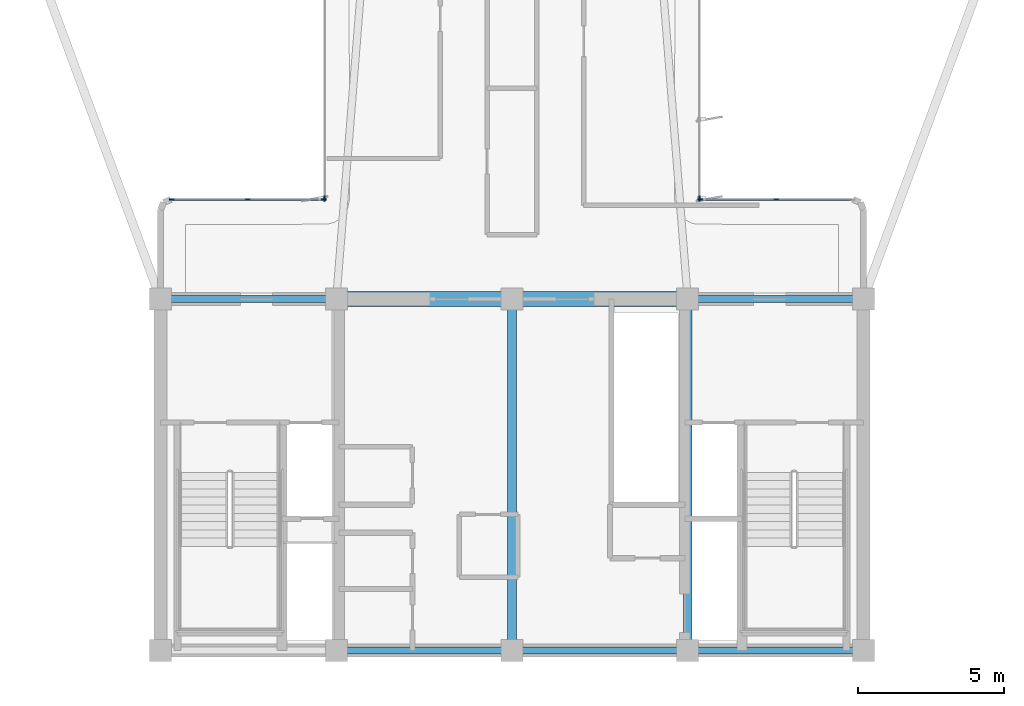
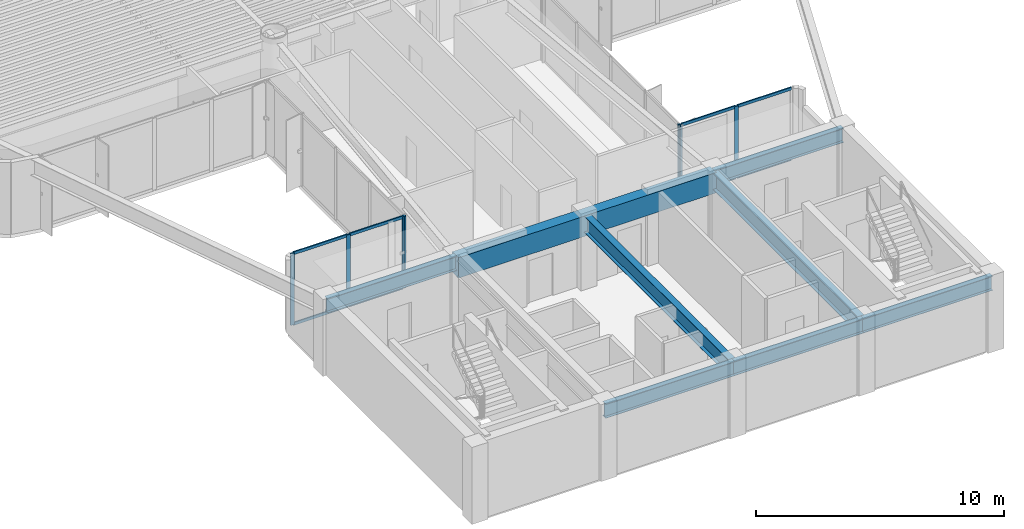
# One storey, part 2 of 15: 15 members, 8 beams, 4 elements without a shape of their own.
"""IFC4 building model written with IfcOpenShell, lengths in metres."""

import ifcopenshell
import ifcopenshell.guid

model = None  # the IFC model being written
_history = None  # IfcOwnerHistory: only IFC2X3 demands one
_inside = {}  # id of a spatial element -> (the spatial element, [elements in it])
_under = {}  # id of a project, library or spatial element -> (it, [spatial elements below it])
_declared = {}  # id of a project -> (the project, [libraries it declares])
_typed = {}  # id of a type object -> (the type object, [elements of that type])
_made_of = {}  # id of a material, layer set ... -> (it, [elements and type objects made of it])


def new_model(schema):
    """Start an empty IFC model of exactly this schema.

    Asked for "IFC4X3", IfcOpenShell would pick the latest addendum, in which some entities
    have other attributes; the version numbers below select the first issue.
    IFC2X3 requires an IfcOwnerHistory on every rooted entity: one is made here for all.
    """
    global model, _history
    if schema == "IFC4X3":
        model = ifcopenshell.file(schema_version=(4, 3, 0, 0))
    else:
        model = ifcopenshell.file(schema=schema)
    _inside.clear()
    _under.clear()
    _declared.clear()
    _typed.clear()
    _made_of.clear()
    _history = None
    if model.schema == "IFC2X3":
        org = make("IfcOrganization", Name="unknown")
        user = make(
            "IfcPersonAndOrganization",
            ThePerson=make("IfcPerson", FamilyName="unknown"),
            TheOrganization=org,
        )
        app = make(
            "IfcApplication",
            ApplicationDeveloper=org,
            Version="unknown",
            ApplicationFullName="unknown",
            ApplicationIdentifier="unknown",
        )
        _history = make(
            "IfcOwnerHistory",
            OwningUser=user,
            OwningApplication=app,
            ChangeAction="ADDED",
            CreationDate=0,
        )
    return model


def make(cls, **values):
    """One entity of the class cls with the attributes given. An attribute that is None is left unset."""
    return model.create_entity(
        cls, **{name: value for name, value in values.items() if value is not None}
    )


def rooted(cls, **values):
    """An entity with a GlobalId (a new one), such as an element, a storey or a relation."""
    return make(cls, GlobalId=ifcopenshell.guid.new(), OwnerHistory=_history, **values)


def si_unit(unit_type, name, prefix=None):
    """IfcSIUnit, for example si_unit("LENGTHUNIT", "METRE", prefix="MILLI")."""
    return make("IfcSIUnit", UnitType=unit_type, Prefix=prefix, Name=name)


def assignment(units):
    """IfcUnitAssignment: the units of a project."""
    return None if units is None else make("IfcUnitAssignment", Units=units)


def point(xyz):
    """IfcCartesianPoint."""
    return None if xyz is None else make("IfcCartesianPoint", Coordinates=xyz)


def direction(xyz):
    """IfcDirection."""
    return None if xyz is None else make("IfcDirection", DirectionRatios=xyz)


def frame(location, z_axis=None, x_axis=None):
    """IfcAxis2Placement3D, a coordinate frame: its origin and axes. An axis left out is left unset."""
    return make(
        "IfcAxis2Placement3D",
        Location=point(location),
        Axis=direction(z_axis),
        RefDirection=direction(x_axis),
    )


def frame_2d(location, x_axis=None):
    """IfcAxis2Placement2D, a coordinate frame in the plane: its origin and x axis."""
    return make(
        "IfcAxis2Placement2D", Location=point(location), RefDirection=direction(x_axis)
    )


def origin():
    """The frame at (0, 0, 0) with its axes left unset."""
    return frame((0.0, 0.0, 0.0))


def origin_2d():
    """The frame at (0, 0) in the plane with its x axis left unset."""
    return frame_2d((0.0, 0.0))


def place(relative_to, where):
    """IfcLocalPlacement: puts the frame where relative to a parent placement (None: the world)."""
    return make(
        "IfcLocalPlacement", PlacementRelTo=relative_to, RelativePlacement=where
    )


def context(
    kind, dimensions, precision=None, world=None, true_north=None, identifier=None
):
    """IfcGeometricRepresentationContext, for example the 3D "Model" context."""
    return make(
        "IfcGeometricRepresentationContext",
        ContextIdentifier=identifier,
        ContextType=kind,
        CoordinateSpaceDimension=dimensions,
        Precision=precision,
        WorldCoordinateSystem=world,
        TrueNorth=true_north,
    )


def subcontext(parent, identifier, kind, view, scale=None):
    """IfcGeometricRepresentationSubContext, for example "Body" below "Model"."""
    return make(
        "IfcGeometricRepresentationSubContext",
        ContextIdentifier=identifier,
        ContextType=kind,
        ParentContext=parent,
        TargetScale=scale,
        TargetView=view,
    )


def project(units=None, contexts=None):
    """IfcProject with its units and contexts."""
    return rooted(
        "IfcProject",
        Name="project",
        RepresentationContexts=contexts,
        UnitsInContext=assignment(units),
    )


def spatial(cls, under=None, at=None, **own):
    """A site, building, storey or space (cls), placed at a placement, below another one or the project."""
    s = rooted(cls, ObjectPlacement=at, **own)
    if under is not None:
        _under.setdefault(under.id(), (under, []))[1].append(s)
    return s


def profile(cls, at=None, kind="AREA", **sizes):
    """A parametric profile (cls). Its sizes go by their IFC names, for example OverallWidth=200.0."""
    return make(cls, ProfileType=kind, Position=at, **sizes)


def rectangle(**sizes):
    """IfcRectangleProfileDef."""
    return profile("IfcRectangleProfileDef", **sizes)


def i_section(**sizes):
    """IfcIShapeProfileDef."""
    return profile("IfcIShapeProfileDef", **sizes)


def extrude(swept, where, along, depth):
    """IfcExtrudedAreaSolid: the profile swept, set in the frame where, extruded along a direction by depth."""
    return make(
        "IfcExtrudedAreaSolid",
        SweptArea=swept,
        Position=where,
        ExtrudedDirection=direction(along),
        Depth=depth,
    )


def shape(context_of_items, identifier, shape_type, items):
    """IfcShapeRepresentation: the items that make up one representation, for example the "Body"."""
    return make(
        "IfcShapeRepresentation",
        ContextOfItems=context_of_items,
        RepresentationIdentifier=identifier,
        RepresentationType=shape_type,
        Items=items,
    )


def source(mapping_origin, context_of_items, identifier, shape_type, items):
    """IfcRepresentationMap: a shape defined once, which mapped items show again and again."""
    return make(
        "IfcRepresentationMap",
        MappingOrigin=mapping_origin,
        MappedRepresentation=shape(context_of_items, identifier, shape_type, items),
    )


def transform(
    local_origin,
    x_axis=None,
    y_axis=None,
    z_axis=None,
    scale=None,
    scale2=None,
    scale3=None,
    uniform=True,
):
    """IfcCartesianTransformationOperator3D, or its non-uniform kind. x_axis, y_axis, z_axis: its Axis1, 2, 3."""
    if uniform:
        return make(
            "IfcCartesianTransformationOperator3D",
            Axis1=direction(x_axis),
            Axis2=direction(y_axis),
            LocalOrigin=point(local_origin),
            Scale=scale,
            Axis3=direction(z_axis),
        )
    return make(
        "IfcCartesianTransformationOperator3DnonUniform",
        Axis1=direction(x_axis),
        Axis2=direction(y_axis),
        LocalOrigin=point(local_origin),
        Scale=scale,
        Axis3=direction(z_axis),
        Scale2=scale2,
        Scale3=scale3,
    )


def mapped(mapping_source, mapping_target):
    """IfcMappedItem: shows the shape of a source again, moved by a transform."""
    return make(
        "IfcMappedItem", MappingSource=mapping_source, MappingTarget=mapping_target
    )


def material(Name=None, Category=None):
    """IfcMaterial."""
    return make("IfcMaterial", Name=Name, Category=Category)


def layer(
    of_material, thickness, ventilated=None, Name=None, Category=None, Priority=None
):
    """IfcMaterialLayer: one layer of a wall or slab, of a material (None: an air gap)."""
    return make(
        "IfcMaterialLayer",
        Material=of_material,
        LayerThickness=thickness,
        IsVentilated=ventilated,
        Name=Name,
        Category=Category,
        Priority=Priority,
    )


def layer_set(layers, Name=None):
    """IfcMaterialLayerSet."""
    return make("IfcMaterialLayerSet", MaterialLayers=layers, LayerSetName=Name)


def material_profile(
    of_material, cross_section, Name=None, Category=None, Priority=None
):
    """IfcMaterialProfile: a cross section and its material."""
    return make(
        "IfcMaterialProfile",
        Name=Name,
        Material=of_material,
        Profile=cross_section,
        Priority=Priority,
        Category=Category,
    )


def profile_set(profiles, Name=None, composite=None):
    """IfcMaterialProfileSet."""
    return make(
        "IfcMaterialProfileSet",
        Name=Name,
        MaterialProfiles=profiles,
        CompositeProfile=composite,
    )


def made_of(thing, what):
    """Note that an element or type object is made of a material, layer set ...; save() writes the relation."""
    if what is not None:
        _made_of.setdefault(what.id(), (what, []))[1].append(thing)
    return thing


def type_object(cls, material=None, **own):
    """A type object (cls), such as IfcWallType, which elements share."""
    return made_of(rooted(cls, **own), material)


def element(
    cls,
    number,
    at=None,
    inside=None,
    cuts=None,
    type_object=None,
    material=None,
    context=None,
    identifier="Body",
    shape_type=None,
    held_by="IfcProductDefinitionShape",
    body=None,
    shapes=None,
    **own,
):
    """One element of the class cls, such as IfcWall. Its Tag is "e" and its number.

    at: its placement. inside: the storey or other place that contains it. cuts: it is an
    opening in that element (IfcRelVoidsElement). A single representation is given by context,
    identifier, shape_type and body (its items); several are given by shapes. held_by: the class
    of the entity that holds the representations. save() writes the other relations.
    """
    e = rooted(cls, Tag="e%d" % number, ObjectPlacement=at, **own)
    if body is not None:
        shapes = [shape(context, identifier, shape_type, body)]
    if shapes is not None:
        e.Representation = make(held_by, Representations=shapes)
    if inside is not None:
        _inside.setdefault(inside.id(), (inside, []))[1].append(e)
    if cuts is not None:
        rooted(
            "IfcRelVoidsElement", RelatingBuildingElement=cuts, RelatedOpeningElement=e
        )
    if type_object is not None:
        _typed.setdefault(type_object.id(), (type_object, []))[1].append(e)
    return made_of(e, material)


def aggregate(whole, parts):
    """IfcRelAggregates: a whole, such as a stair, and the parts it consists of."""
    return rooted("IfcRelAggregates", RelatingObject=whole, RelatedObjects=parts)


def save(model, path):
    """Write the relations noted so far, then the file.

    IfcRelAggregates (storeys below a building ...), IfcRelContainedInSpatialStructure (elements
    in a storey), IfcRelDefinesByType, IfcRelAssociatesMaterial and IfcRelDeclares: one each for
    every whole, place, type object, material and project.
    """
    for whole, parts in _under.values():
        aggregate(whole, parts)
    for where, things in _inside.values():
        rooted(
            "IfcRelContainedInSpatialStructure",
            RelatedElements=things,
            RelatingStructure=where,
        )
    for kind, things in _typed.values():
        rooted("IfcRelDefinesByType", RelatedObjects=things, RelatingType=kind)
    for what, things in _made_of.values():
        rooted("IfcRelAssociatesMaterial", RelatedObjects=things, RelatingMaterial=what)
    for by, libraries in _declared.values():
        rooted("IfcRelDeclares", RelatingContext=by, RelatedDefinitions=libraries)
    model.write(path)


model = new_model("IFC4")

# Units and contexts
model_context = context("Model", 3, precision=1e-05, world=origin(), true_north=direction((0.0, 1.0)))
body_context = subcontext(model_context, "Body", "Model", "MODEL_VIEW")
ifc_project = project(units=[si_unit("LENGTHUNIT", "METRE"), si_unit("AREAUNIT", "SQUARE_METRE"), si_unit("VOLUMEUNIT", "CUBIC_METRE"), si_unit("PLANEANGLEUNIT", "RADIAN"), si_unit("MASSUNIT", "GRAM", prefix="KILO")], contexts=[model_context])

# Site, building, storey
site_placement = place(None, origin())
site = spatial("IfcSite", under=ifc_project, at=site_placement, CompositionType="ELEMENT")
building_placement = place(site_placement, origin())
building = spatial("IfcBuilding", under=site, at=building_placement, Name="Brelvock Crest Care Tower", CompositionType="ELEMENT")
storey_placement = place(building_placement, frame((0.0, 0.0, 171.5400390625)))
storey = spatial("IfcBuildingStorey", under=building, at=storey_placement, Name="L43", CompositionType="ELEMENT", Elevation=171.5400390625)

# Beams
ifc_material_1 = material(Name="Steel Grade 350", Category="steel")
ifc_material_profile_1 = material_profile(ifc_material_1, i_section(OverallWidth=0.25, OverallDepth=0.699951171875, WebThickness=0.011962890625, FlangeThickness=0.02001953125, at=origin_2d()), Name="700WB150")
ifc_profile_set_1 = profile_set([ifc_material_profile_1], Name="Steel Grade 350")
beam_type_1 = type_object("IfcBeamType", Name="BM-G4", PredefinedType="BEAM", material=ifc_profile_set_1)
shared_shape_1 = source(origin(), body_context, "Body", "SweptSolid", [
    extrude(i_section(OverallWidth=0.25, OverallDepth=0.699951171875, WebThickness=0.011962890625, FlangeThickness=0.02001953125, at=origin_2d()), origin(), (0.0, 0.0, 1.0), 6.0),
])
for number, where, z_axis, x_axis, name in (
    (1, (24.0, 18.0, 3.179931640625), (1.0, 0.0, 0.0), (0.0, 1.0, 0.0), "BM-COREN-L43-1"),
    (2, (30.0, 6.0, 3.179931640625), (1.0, 0.0, 0.0), (0.0, 1.0, 0.0), "BM-CORES-L43-2"),
    (3, (36.0, 6.0, 3.179931640625), (1.0, 0.0, 0.0), (0.0, 1.0, 0.0), "BM-CORES-L43-3"),
    (4, (42.0, 6.0, 3.179931640625), (1.0, 0.0, 0.0), (0.0, 1.0, 0.0), "BM-CORES-L43-4"),
    (5, (42.0, 18.0, 3.179931640625), (1.0, 0.0, 0.0), (0.0, 1.0, 0.0), "BM-COREN-L43-4"),
):
    element("IfcBeam", number, at=place(storey_placement, frame(where, z_axis=z_axis, x_axis=x_axis)), inside=storey, type_object=beam_type_1, Name=name, PredefinedType="BEAM", context=body_context, shape_type="MappedRepresentation", body=[
        mapped(shared_shape_1, transform((0.0, 0.0, 0.0), x_axis=(1.0, 0.0, 0.0), y_axis=(0.0, 1.0, 0.0), z_axis=(0.0, 0.0, 1.0), scale=1.0)),
    ])
ifc_material_profile_2 = material_profile(ifc_material_1, i_section(OverallWidth=0.300048828125, OverallDepth=0.800048828125, WebThickness=0.013916015625, FlangeThickness=0.02197265625, at=origin_2d()), Name="800WB192")
ifc_profile_set_2 = profile_set([ifc_material_profile_2], Name="Steel Grade 350")
beam_type_2 = type_object("IfcBeamType", Name="BM-G5", PredefinedType="BEAM", material=ifc_profile_set_2)
shared_shape_2 = source(origin(), body_context, "Body", "SweptSolid", [
    extrude(i_section(OverallWidth=0.300048828125, OverallDepth=0.800048828125, WebThickness=0.013916015625, FlangeThickness=0.02197265625, at=origin_2d()), origin(), (0.0, 0.0, 1.0), 12.0),
])
for number, where, z_axis, x_axis, name in (
    (6, (36.0, 6.0, 3.1298828125), (0.0, 1.0, 0.0), (-1.0, 0.0, 0.0), "BM-COREX-L43-3"),
    (7, (42.0, 6.0, 3.1298828125), (0.0, 1.0, 0.0), (-1.0, 0.0, 0.0), "BM-COREX-L43-4"),
):
    element("IfcBeam", number, at=place(storey_placement, frame(where, z_axis=z_axis, x_axis=x_axis)), inside=storey, type_object=beam_type_2, Name=name, PredefinedType="BEAM", context=body_context, shape_type="MappedRepresentation", body=[
        mapped(shared_shape_2, transform((0.0, 0.0, 0.0), x_axis=(1.0, 0.0, 0.0), y_axis=(0.0, 1.0, 0.0), z_axis=(0.0, 0.0, 1.0), scale=1.0)),
    ])
ifc_material_2 = material(Name="Concrete S65 (65 MPa)", Category="concrete")
ifc_material_profile_3 = material_profile(ifc_material_2, rectangle(XDim=0.5, YDim=1.0, at=origin_2d()), Name="RC500x1000")
ifc_profile_set_3 = profile_set([ifc_material_profile_3], Name="Concrete S65 (65 MPa)")
beam_type_3 = type_object("IfcBeamType", Name="BM-LN2", PredefinedType="LINTEL", material=ifc_profile_set_3)
shared_shape_3 = source(origin(), body_context, "Body", "SweptSolid", [
    extrude(rectangle(XDim=0.5, YDim=1.0, at=origin_2d()), origin(), (0.0, 0.0, 1.0), 12.0),
])
beam_placement = place(storey_placement, frame((30.0, 18.0, 3.030029296875), z_axis=(1.0, 0.0, 0.0), x_axis=(0.0, 1.0, 0.0)))
element("IfcBeam", 8, at=beam_placement, inside=storey, type_object=beam_type_3, Name="L43 Core Coupling Lintel Beam", PredefinedType="LINTEL", context=body_context, shape_type="MappedRepresentation", body=[
    mapped(shared_shape_3, transform((0.0, 0.0, 0.0), x_axis=(1.0, 0.0, 0.0), y_axis=(0.0, 1.0, 0.0), z_axis=(0.0, 0.0, 1.0), scale=1.0)),
])

# Curtain wall, members
ifc_material_3 = material(Name="Dark Glass Double Glazed Low-E", Category="glass")
ifc_layer = layer(ifc_material_3, 0.22509765625, Name="CWS-4")
ifc_layer_set = layer_set([ifc_layer], Name="Dark Glass Double Glazed Low-E")
curtain_wall_type = type_object("IfcCurtainWallType", Name="CWS-4", PredefinedType="NOTDEFINED", material=ifc_layer_set)
curtain_wall_1_placement = place(storey_placement, origin())
curtain_wall_1 = element("IfcCurtainWall", 9, at=curtain_wall_1_placement, inside=storey, type_object=curtain_wall_type, Name="L43 Curtain Wall E10", PredefinedType="NOTDEFINED")
ifc_material_4 = material(Name="Aluminium 6063-T6", Category="aluminium")
ifc_material_profile_4 = material_profile(ifc_material_4, rectangle(XDim=0.06005859375, YDim=0.179931640625, at=origin_2d()), Name="ALU60x180")
ifc_profile_set_4 = profile_set([ifc_material_profile_4], Name="Aluminium 6063-T6")
member_type_1 = type_object("IfcMemberType", Name="CWM-2", PredefinedType="MULLION", material=ifc_profile_set_4)
shared_shape_4 = source(origin(), body_context, "Body", "SweptSolid", [
    extrude(rectangle(XDim=0.06005859375, YDim=0.179931640625, at=origin_2d()), origin(), (0.0, 0.0, 1.0), 3.530029296875),
])
member_1_placement = place(storey_placement, frame((24.3798828125, 21.39990234375, 0.0), z_axis=(0.0, 0.0, 1.0), x_axis=(0.0, 1.0, 0.0)))
member_1 = element("IfcMember", 10, at=member_1_placement, type_object=member_type_1, Name="CW-4 mullion 1", PredefinedType="MULLION", context=body_context, shape_type="MappedRepresentation", body=[
    mapped(shared_shape_4, transform((0.0, 0.0, 0.0), x_axis=(1.0, 0.0, 0.0), y_axis=(0.0, 1.0, 0.0), z_axis=(0.0, 0.0, 1.0), scale=1.0)),
])
member_2_placement = place(storey_placement, frame((26.97509765625, 21.39990234375, 0.0), z_axis=(0.0, 0.0, 1.0), x_axis=(0.0, 1.0, 0.0)))
member_2 = element("IfcMember", 11, at=member_2_placement, type_object=member_type_1, Name="CW-4 mullion 2", PredefinedType="MULLION", context=body_context, shape_type="MappedRepresentation", body=[
    mapped(shared_shape_4, transform((0.0, 0.0, 0.0), x_axis=(1.0, 0.0, 0.0), y_axis=(0.0, 1.0, 0.0), z_axis=(0.0, 0.0, 1.0), scale=1.0)),
])
member_3_placement = place(storey_placement, frame((29.570068359375, 21.39990234375, 0.0), z_axis=(0.0, 0.0, 1.0), x_axis=(0.0, 1.0, 0.0)))
member_3 = element("IfcMember", 12, at=member_3_placement, type_object=member_type_1, Name="CW-4 mullion 3", PredefinedType="MULLION", context=body_context, shape_type="MappedRepresentation", body=[
    mapped(shared_shape_4, transform((0.0, 0.0, 0.0), x_axis=(1.0, 0.0, 0.0), y_axis=(0.0, 1.0, 0.0), z_axis=(0.0, 0.0, 1.0), scale=1.0)),
])

# Curtain wall, member
curtain_wall_2_placement = place(storey_placement, origin())
curtain_wall_2 = element("IfcCurtainWall", 13, at=curtain_wall_2_placement, inside=storey, type_object=curtain_wall_type, Name="L43 Curtain Wall E11", PredefinedType="NOTDEFINED")
member_4_placement = place(storey_placement, frame((29.60009765625, 21.429931640625, 0.0), z_axis=(0.0, 0.0, 1.0), x_axis=(-1.0, 0.0, 0.0)))
member_4 = element("IfcMember", 14, at=member_4_placement, type_object=member_type_1, Name="CW-4 mullion 1", PredefinedType="MULLION", context=body_context, shape_type="MappedRepresentation", body=[
    mapped(shared_shape_4, transform((0.0, 0.0, 0.0), x_axis=(1.0, 0.0, 0.0), y_axis=(0.0, 1.0, 0.0), z_axis=(0.0, 0.0, 1.0), scale=1.0)),
])
aggregate(curtain_wall_2, [member_4])

curtain_wall_3_placement = place(storey_placement, origin())
curtain_wall_3 = element("IfcCurtainWall", 15, at=curtain_wall_3_placement, inside=storey, type_object=curtain_wall_type, Name="L43 Curtain Wall E45", PredefinedType="NOTDEFINED")
member_5_placement = place(storey_placement, frame((42.39990234375, 21.429931640625, 0.0), z_axis=(0.0, 0.0, 1.0), x_axis=(1.0, 0.0, 0.0)))
member_5 = element("IfcMember", 16, at=member_5_placement, type_object=member_type_1, Name="CW-4 mullion 5", PredefinedType="MULLION", context=body_context, shape_type="MappedRepresentation", body=[
    mapped(shared_shape_4, transform((0.0, 0.0, 0.0), x_axis=(1.0, 0.0, 0.0), y_axis=(0.0, 1.0, 0.0), z_axis=(0.0, 0.0, 1.0), scale=1.0)),
])
aggregate(curtain_wall_3, [member_5])

# Curtain wall, members
curtain_wall_4_placement = place(storey_placement, origin())
curtain_wall_4 = element("IfcCurtainWall", 17, at=curtain_wall_4_placement, inside=storey, type_object=curtain_wall_type, Name="L43 Curtain Wall E46", PredefinedType="NOTDEFINED")
member_6_placement = place(storey_placement, frame((42.429931640625, 21.39990234375, 0.0), z_axis=(0.0, 0.0, 1.0), x_axis=(0.0, 1.0, 0.0)))
member_6 = element("IfcMember", 18, at=member_6_placement, type_object=member_type_1, Name="CW-4 mullion 1", PredefinedType="MULLION", context=body_context, shape_type="MappedRepresentation", body=[
    mapped(shared_shape_4, transform((0.0, 0.0, 0.0), x_axis=(1.0, 0.0, 0.0), y_axis=(0.0, 1.0, 0.0), z_axis=(0.0, 0.0, 1.0), scale=1.0)),
])
member_7_placement = place(storey_placement, frame((45.02490234375, 21.39990234375, 0.0), z_axis=(0.0, 0.0, 1.0), x_axis=(0.0, 1.0, 0.0)))
member_7 = element("IfcMember", 19, at=member_7_placement, type_object=member_type_1, Name="CW-4 mullion 2", PredefinedType="MULLION", context=body_context, shape_type="MappedRepresentation", body=[
    mapped(shared_shape_4, transform((0.0, 0.0, 0.0), x_axis=(1.0, 0.0, 0.0), y_axis=(0.0, 1.0, 0.0), z_axis=(0.0, 0.0, 1.0), scale=1.0)),
])

# Member
ifc_material_profile_5 = material_profile(ifc_material_4, rectangle(XDim=0.06005859375, YDim=0.139892578125, at=origin_2d()), Name="ALU60x140")
ifc_profile_set_5 = profile_set([ifc_material_profile_5], Name="Aluminium 6063-T6")
member_type_2 = type_object("IfcMemberType", Name="CWT-2", PredefinedType="USERDEFINED", material=ifc_profile_set_5)
shared_shape_5 = source(origin(), body_context, "Body", "SweptSolid", [
    extrude(rectangle(XDim=0.06005859375, YDim=0.139892578125, at=origin_2d()), origin(), (0.0, 0.0, 1.0), 2.53515625),
])
member_8_placement = place(storey_placement, frame((24.409912109375, 21.39990234375, 0.030029296875), z_axis=(1.0, 0.0, 0.0), x_axis=(0.0, 1.0, 0.0)))
member_8 = element("IfcMember", 20, at=member_8_placement, type_object=member_type_2, Name="CW-4 transom 1.1", ObjectType="TRANSOM", PredefinedType="USERDEFINED", context=body_context, shape_type="MappedRepresentation", body=[
    mapped(shared_shape_5, transform((0.0, 0.0, 0.0), x_axis=(1.0, 0.0, 0.0), y_axis=(0.0, 1.0, 0.0), z_axis=(0.0, 0.0, 1.0), scale=1.0)),
])

member_9_placement = place(storey_placement, frame((24.409912109375, 21.39990234375, 3.5), z_axis=(1.0, 0.0, 0.0), x_axis=(0.0, 1.0, 0.0)))
member_9 = element("IfcMember", 21, at=member_9_placement, type_object=member_type_2, Name="CW-4 transom 1.2", ObjectType="TRANSOM", PredefinedType="USERDEFINED", context=body_context, shape_type="MappedRepresentation", body=[
    mapped(shared_shape_5, transform((0.0, 0.0, 0.0), x_axis=(1.0, 0.0, 0.0), y_axis=(0.0, 1.0, 0.0), z_axis=(0.0, 0.0, 1.0), scale=1.0)),
])

member_10_placement = place(storey_placement, frame((27.0048828125, 21.39990234375, 0.030029296875), z_axis=(1.0, 0.0, 0.0), x_axis=(0.0, 1.0, 0.0)))
member_10 = element("IfcMember", 22, at=member_10_placement, type_object=member_type_2, Name="CW-4 transom 2.1", ObjectType="TRANSOM", PredefinedType="USERDEFINED", context=body_context, shape_type="MappedRepresentation", body=[
    mapped(shared_shape_5, transform((0.0, 0.0, 0.0), x_axis=(1.0, 0.0, 0.0), y_axis=(0.0, 1.0, 0.0), z_axis=(0.0, 0.0, 1.0), scale=1.0)),
])

member_11_placement = place(storey_placement, frame((27.0048828125, 21.39990234375, 3.5), z_axis=(1.0, 0.0, 0.0), x_axis=(0.0, 1.0, 0.0)))
member_11 = element("IfcMember", 23, at=member_11_placement, type_object=member_type_2, Name="CW-4 transom 2.2", ObjectType="TRANSOM", PredefinedType="USERDEFINED", context=body_context, shape_type="MappedRepresentation", body=[
    mapped(shared_shape_5, transform((0.0, 0.0, 0.0), x_axis=(1.0, 0.0, 0.0), y_axis=(0.0, 1.0, 0.0), z_axis=(0.0, 0.0, 1.0), scale=1.0)),
])

aggregate(curtain_wall_1, [member_1, member_2, member_3, member_8, member_9, member_10, member_11])

member_12_placement = place(storey_placement, frame((42.4599609375, 21.39990234375, 0.030029296875), z_axis=(1.0, 0.0, 0.0), x_axis=(0.0, 1.0, 0.0)))
member_12 = element("IfcMember", 24, at=member_12_placement, type_object=member_type_2, Name="CW-4 transom 1.1", ObjectType="TRANSOM", PredefinedType="USERDEFINED", context=body_context, shape_type="MappedRepresentation", body=[
    mapped(shared_shape_5, transform((0.0, 0.0, 0.0), x_axis=(1.0, 0.0, 0.0), y_axis=(0.0, 1.0, 0.0), z_axis=(0.0, 0.0, 1.0), scale=1.0)),
])

member_13_placement = place(storey_placement, frame((42.4599609375, 21.39990234375, 3.5), z_axis=(1.0, 0.0, 0.0), x_axis=(0.0, 1.0, 0.0)))
member_13 = element("IfcMember", 25, at=member_13_placement, type_object=member_type_2, Name="CW-4 transom 1.2", ObjectType="TRANSOM", PredefinedType="USERDEFINED", context=body_context, shape_type="MappedRepresentation", body=[
    mapped(shared_shape_5, transform((0.0, 0.0, 0.0), x_axis=(1.0, 0.0, 0.0), y_axis=(0.0, 1.0, 0.0), z_axis=(0.0, 0.0, 1.0), scale=1.0)),
])

member_14_placement = place(storey_placement, frame((45.054931640625, 21.39990234375, 0.030029296875), z_axis=(1.0, 0.0, 0.0), x_axis=(0.0, 1.0, 0.0)))
member_14 = element("IfcMember", 26, at=member_14_placement, type_object=member_type_2, Name="CW-4 transom 2.1", ObjectType="TRANSOM", PredefinedType="USERDEFINED", context=body_context, shape_type="MappedRepresentation", body=[
    mapped(shared_shape_5, transform((0.0, 0.0, 0.0), x_axis=(1.0, 0.0, 0.0), y_axis=(0.0, 1.0, 0.0), z_axis=(0.0, 0.0, 1.0), scale=1.0)),
])

member_15_placement = place(storey_placement, frame((45.054931640625, 21.39990234375, 3.5), z_axis=(1.0, 0.0, 0.0), x_axis=(0.0, 1.0, 0.0)))
member_15 = element("IfcMember", 27, at=member_15_placement, type_object=member_type_2, Name="CW-4 transom 2.2", ObjectType="TRANSOM", PredefinedType="USERDEFINED", context=body_context, shape_type="MappedRepresentation", body=[
    mapped(shared_shape_5, transform((0.0, 0.0, 0.0), x_axis=(1.0, 0.0, 0.0), y_axis=(0.0, 1.0, 0.0), z_axis=(0.0, 0.0, 1.0), scale=1.0)),
])

aggregate(curtain_wall_4, [member_6, member_7, member_12, member_13, member_14, member_15])

save(model, "model.ifc")
